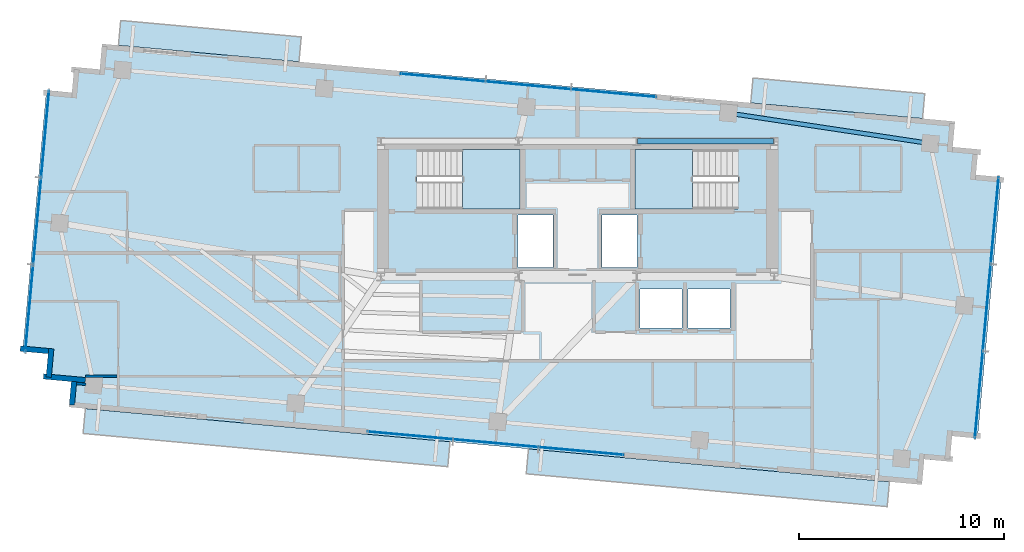
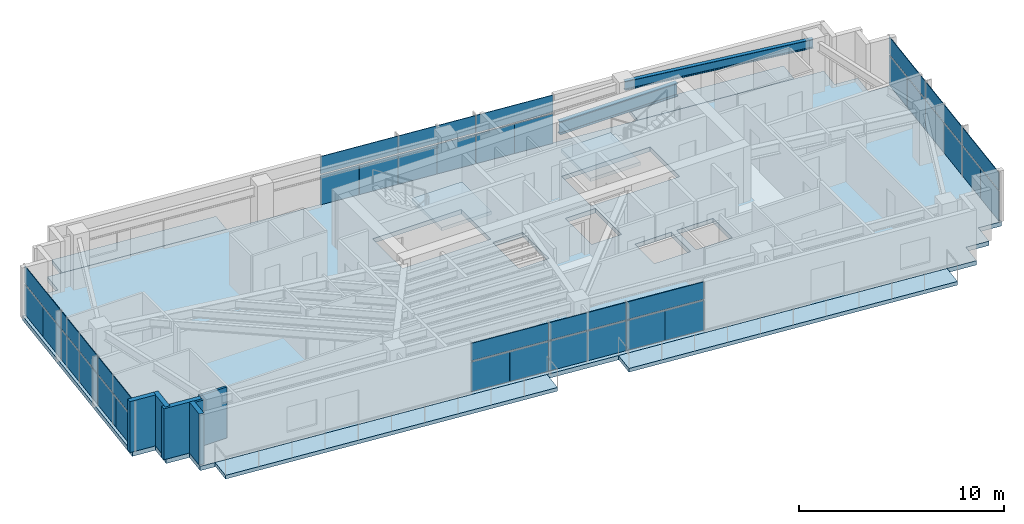
# One storey, part 15 of 22: 36 plates, 7 slabs, 6 walls, 2 beams, 6 elements without a shape of their own.
"""IFC4 building model written with IfcOpenShell, lengths in metres."""

from ifc_helpers import new_model, si_unit, direction, frame, frame_2d, origin, origin_2d, place, context, subcontext, project, spatial, polyline, rectangle, i_section, outline, extrude, source, transform, mapped, material, layer, layer_set, material_profile, profile_set, type_object, type_shapes, element, aggregate, save


model = new_model("IFC4")

# Units and contexts
model_context = context("Model", 3, precision=1e-05, world=origin(), true_north=direction((0.0, 1.0)))
body_context = subcontext(model_context, "Body", "Model", "MODEL_VIEW")
ifc_project = project(units=[si_unit("LENGTHUNIT", "METRE"), si_unit("AREAUNIT", "SQUARE_METRE"), si_unit("VOLUMEUNIT", "CUBIC_METRE"), si_unit("PLANEANGLEUNIT", "RADIAN"), si_unit("MASSUNIT", "GRAM", prefix="KILO")], contexts=[model_context])

# Site, building, storey
site_placement = place(None, origin())
site = spatial("IfcSite", under=ifc_project, at=site_placement, CompositionType="ELEMENT")
building_placement = place(site_placement, origin())
building = spatial("IfcBuilding", under=site, at=building_placement, Name="Astriad Promenade Condominiums", CompositionType="ELEMENT")
storey_placement = place(building_placement, frame((0.0, 0.0, 246.300048828125)))
storey = spatial("IfcBuildingStorey", under=building, at=storey_placement, Name="L71", CompositionType="ELEMENT", Elevation=246.300048828125)

# Beams
ifc_material_1 = material(Name="Steel ASTM A992 Grade 50", Category="steel")
ifc_material_profile_1 = material_profile(ifc_material_1, i_section(OverallWidth=0.267822265625, OverallDepth=0.76953125, WebThickness=0.015625, FlangeThickness=0.025390625, FilletRadius=0.021484375, at=origin_2d()), Name="W30X132")
ifc_profile_set_1 = profile_set([ifc_material_profile_1], Name="Steel ASTM A992 Grade 50")
beam_type_1 = type_object("IfcBeamType", Name="STEEL FLOOR GIRDER W30X132", PredefinedType="BEAM", material=ifc_profile_set_1)
shared_shape_1 = source(origin(), body_context, "Body", "SweptSolid", [
    extrude(i_section(OverallWidth=0.267822265625, OverallDepth=0.76953125, WebThickness=0.015625, FlangeThickness=0.025390625, FilletRadius=0.021484375, at=origin_2d()), origin(), (0.0, 0.0, 1.0), 6.64013671875),
])
type_shapes(beam_type_1, [shared_shape_1])
beam_1_placement = place(storey_placement, frame((38.919921875, 24.0, 2.655029296875), z_axis=(1.0, 0.0, 0.0), x_axis=(0.0, 1.0, 0.0)))
element("IfcBeam", 1, at=beam_1_placement, inside=storey, type_object=beam_type_1, Name="Core Ring Beam CG-N3-L71", PredefinedType="BEAM", context=body_context, shape_type="MappedRepresentation", body=[
    mapped(shared_shape_1, transform((0.0, 0.0, 0.0), scale=1.0)),
])
ifc_material_profile_2 = material_profile(ifc_material_1, i_section(OverallWidth=0.210693359375, OverallDepth=0.53955078125, WebThickness=0.01171875, FlangeThickness=0.018798828125, FilletRadius=0.0166015625, at=origin_2d()), Name="W21X73")
ifc_profile_set_2 = profile_set([ifc_material_profile_2], Name="Steel ASTM A992 Grade 50")
beam_type_2 = type_object("IfcBeamType", Name="STEEL SPANDREL BEAM W21X73", PredefinedType="SPANDREL", material=ifc_profile_set_2)
shared_shape_2 = source(origin(), body_context, "Body", "SweptSolid", [
    extrude(i_section(OverallWidth=0.210693359375, OverallDepth=0.53955078125, WebThickness=0.01171875, FlangeThickness=0.018798828125, FilletRadius=0.0166015625, at=origin_2d()), origin(), (0.0, 0.0, 1.0), 9.890869140625),
])
type_shapes(beam_type_2, [shared_shape_2])
beam_2_placement = place(storey_placement, frame((53.1787109375, 23.899658203125, 2.770263671875), z_axis=(-0.988827455442, 0.149064628143, 0.0), x_axis=(-0.149064628143, -0.988827455442, 0.0)))
element("IfcBeam", 2, at=beam_2_placement, inside=storey, type_object=beam_type_2, Name="Perimeter Spandrel Beam SP-N4-L71", PredefinedType="SPANDREL", context=body_context, shape_type="MappedRepresentation", body=[
    mapped(shared_shape_2, transform((0.0, 0.0, 0.0), scale=1.0)),
])

# Slab
ifc_material_2 = material(Name="Concrete C50/60", Category="concrete")
ifc_layer_1 = layer(ifc_material_2, 0.260009765625)
ifc_layer_set_1 = layer_set([ifc_layer_1], Name="Concrete C50/60")
slab_type_1 = type_object("IfcSlabType", Name="CONCRETE TOWER FLOOR SLAB 260", PredefinedType="FLOOR", material=ifc_layer_set_1)
slab_1_placement = place(storey_placement, frame((0.0, 0.0, -0.260009765625)))
element("IfcSlab", 3, at=slab_1_placement, inside=storey, type_object=slab_type_1, Name="Structural Floor Slab (L71)", PredefinedType="FLOOR", context=body_context, shape_type="SweptSolid", body=[
    extrude(outline(polyline([(11.179443359375, 11.03076171875), (52.807373046875, 7.242431640625), (52.920654296875, 8.4873046875), (54.16552734375, 8.3740234375), (54.27880859375, 9.618896484375), (55.523681640625, 9.505615234375), (56.68359375, 22.2529296875), (55.43896484375, 22.3662109375), (55.55224609375, 23.611083984375), (54.307373046875, 23.724365234375), (54.420654296875, 24.96923828125), (12.79248046875, 28.757568359375), (12.679443359375, 27.5126953125), (11.4345703125, 27.6259765625), (11.3212890625, 26.381103515625), (10.076416015625, 26.494384765625), (8.916259765625, 13.7470703125), (10.1611328125, 13.6337890625), (10.0478515625, 12.388916015625), (11.292724609375, 12.275634765625), (11.179443359375, 11.03076171875)]), holes=[polyline([(28.175048828125, 20.699951171875), (33.175048828125, 20.699951171875), (33.175048828125, 23.60009765625), (28.175048828125, 23.60009765625), (28.175048828125, 20.699951171875)]), polyline([(38.824951171875, 20.699951171875), (43.824951171875, 20.699951171875), (43.824951171875, 23.60009765625), (38.824951171875, 23.60009765625), (38.824951171875, 20.699951171875)]), polyline([(33.10009765625, 17.85009765625), (34.800048828125, 17.85009765625), (34.800048828125, 20.39990234375), (33.10009765625, 20.39990234375), (33.10009765625, 17.85009765625)]), polyline([(37.199951171875, 17.85009765625), (38.89990234375, 17.85009765625), (38.89990234375, 20.39990234375), (37.199951171875, 20.39990234375), (37.199951171875, 17.85009765625)]), polyline([(39.050048828125, 14.89990234375), (41.10009765625, 14.89990234375), (41.10009765625, 16.800048828125), (39.050048828125, 16.800048828125), (39.050048828125, 14.89990234375)]), polyline([(41.39990234375, 14.89990234375), (43.449951171875, 14.89990234375), (43.449951171875, 16.800048828125), (41.39990234375, 16.800048828125), (41.39990234375, 14.89990234375)])]), origin(), (0.0, 0.0, 1.0), 0.260009765625),
])

# Stair, slab
stair_type = type_object("IfcStairType", Name="STR-CORE-1350", PredefinedType="HALF_TURN_STAIR", material=ifc_material_2)
stair_1_placement = place(storey_placement, origin())
stair_1 = element("IfcStair", 4, at=stair_1_placement, inside=storey, type_object=stair_type, Name="L71 Enclosed Core Exit Stair ST-1", PredefinedType="HALF_TURN_STAIR")
ifc_layer_2 = layer(ifc_material_2, 0.219970703125)
ifc_layer_set_2 = layer_set([ifc_layer_2], Name="Concrete C50/60")
slab_type_2 = type_object("IfcSlabType", Name="SLB-LANDING-220", PredefinedType="LANDING", material=ifc_layer_set_2)
slab_2_placement = place(storey_placement, frame((0.0, 0.0, 1.449951171875)))
slab_2 = element("IfcSlab", 5, at=slab_2_placement, type_object=slab_type_2, Name="ST-1 landing 1", PredefinedType="LANDING", context=body_context, shape_type="SweptSolid", body=[
    extrude(outline(polyline([(30.389892578125, 20.699951171875), (33.199951171875, 20.699951171875), (33.199951171875, 23.60009765625), (30.389892578125, 23.60009765625), (30.389892578125, 20.699951171875)])), origin(), (0.0, 0.0, 1.0), 0.199951171875),
])
aggregate(stair_1, [slab_2])

stair_2_placement = place(storey_placement, origin())
stair_2 = element("IfcStair", 6, at=stair_2_placement, inside=storey, type_object=stair_type, Name="L71 Enclosed Core Exit Stair ST-2", PredefinedType="HALF_TURN_STAIR")
slab_3_placement = place(storey_placement, frame((0.0, 0.0, 1.449951171875)))
slab_3 = element("IfcSlab", 7, at=slab_3_placement, type_object=slab_type_2, Name="ST-2 landing 1", PredefinedType="LANDING", context=body_context, shape_type="SweptSolid", body=[
    extrude(outline(polyline([(41.610107421875, 23.60009765625), (38.800048828125, 23.60009765625), (38.800048828125, 20.699951171875), (41.610107421875, 20.699951171875), (41.610107421875, 23.60009765625)])), origin(), (0.0, 0.0, 1.0), 0.199951171875),
])
aggregate(stair_2, [slab_3])

# Slabs
ifc_material_3 = material(Name="Precast concrete C50/60", Category="concrete")
ifc_layer_3 = layer(ifc_material_3, 0.219970703125)
ifc_layer_set_3 = layer_set([ifc_layer_3], Name="Precast concrete C50/60")
slab_type_3 = type_object("IfcSlabType", Name="WHITE PRECAST CONCRETE WAVE BALCONY SLAB 220", PredefinedType="FLOOR", material=ifc_layer_set_3)
slab_4_placement = place(storey_placement, frame((0.0, 0.0, -0.219970703125)))
element("IfcSlab", 8, at=slab_4_placement, inside=storey, type_object=slab_type_3, Name="White Precast Wave Balcony Slab BAL-L71-SW", PredefinedType="FLOOR", context=body_context, shape_type="SweptSolid", body=[
    extrude(outline(polyline([(29.6650390625, 8.12353515625), (11.866455078125, 9.743408203125), (11.976806640625, 10.956298828125), (29.775390625, 9.33642578125), (29.6650390625, 8.12353515625)])), origin(), (0.0, 0.0, 1.0), 0.219970703125),
])
slab_5_placement = place(storey_placement, frame((0.0, 0.0, -0.219970703125)))
element("IfcSlab", 9, at=slab_5_placement, inside=storey, type_object=slab_type_3, Name="White Precast Wave Balcony Slab BAL-L71-SE", PredefinedType="FLOOR", context=body_context, shape_type="SweptSolid", body=[
    extrude(outline(polyline([(51.1103515625, 6.171875), (33.494140625, 7.77490234375), (33.6044921875, 8.988037109375), (51.220703125, 7.384765625), (51.1103515625, 6.171875)])), origin(), (0.0, 0.0, 1.0), 0.219970703125),
])
slab_6_placement = place(storey_placement, frame((0.0, 0.0, -0.219970703125)))
element("IfcSlab", 10, at=slab_6_placement, inside=storey, type_object=slab_type_3, Name="White Precast Wave Balcony Slab BAL-L71-NW", PredefinedType="FLOOR", context=body_context, shape_type="SweptSolid", body=[
    extrude(outline(polyline([(13.700927734375, 29.89990234375), (22.513427734375, 29.097900390625), (22.403076171875, 27.885009765625), (13.590576171875, 28.68701171875), (13.700927734375, 29.89990234375)])), origin(), (0.0, 0.0, 1.0), 0.219970703125),
])
slab_7_placement = place(storey_placement, frame((0.0, 0.0, -0.219970703125)))
element("IfcSlab", 11, at=slab_7_placement, inside=storey, type_object=slab_type_3, Name="White Precast Wave Balcony Slab BAL-L71-NE", PredefinedType="FLOOR", context=body_context, shape_type="SweptSolid", body=[
    extrude(outline(polyline([(44.5625, 27.09130859375), (52.944580078125, 26.32861328125), (52.83447265625, 25.115478515625), (44.451904296875, 25.87841796875), (44.5625, 27.09130859375)])), origin(), (0.0, 0.0, 1.0), 0.219970703125),
])

# Curtain wall, plates
ifc_material_4 = material(Name="Anodised aluminium Black Dark Glass Unitised", Category="aluminium")
curtain_wall_type = type_object("IfcCurtainWallType", Name="CW-B5-DARK", PredefinedType="USERDEFINED", material=ifc_material_4)
curtain_wall_1_placement = place(storey_placement, origin())
curtain_wall_1 = element("IfcCurtainWall", 12, at=curtain_wall_1_placement, inside=storey, type_object=curtain_wall_type, Name="CW-L71-W", ObjectType="UNITISED_CURTAIN_WALL", PredefinedType="USERDEFINED")
ifc_material_5 = material(Name="Dark Tinted Low-E Laminated Glass", Category="glass")
ifc_layer_4 = layer(ifc_material_5, 0.035888671875)
ifc_layer_set_4 = layer_set([ifc_layer_4], Name="Dark Tinted Low-E Laminated Glass")
plate_type = type_object("IfcPlateType", Name="PNL-DARK-GLASS-36", PredefinedType="CURTAIN_PANEL", material=ifc_layer_set_4)
shared_shape_3 = source(origin(), body_context, "Body", "SweptSolid", [
    extrude(rectangle(XDim=2.121337890625, YDim=0.035888671875, at=origin_2d()), origin(), (0.0, 0.0, 1.0), 1.764892578125),
])
plate_1_placement = place(storey_placement, frame((9.142578125, 14.797607421875, 0.080078125), z_axis=(0.0, 0.0, 1.0), x_axis=(0.090632580198, 0.995884398616, 0.0)))
plate_1 = element("IfcPlate", 13, at=plate_1_placement, type_object=plate_type, Name="CW-L71-W-PNL-00-VL", PredefinedType="CURTAIN_PANEL", context=body_context, shape_type="MappedRepresentation", body=[
    mapped(shared_shape_3, transform((0.0, 0.0, 0.0), scale=1.0)),
])
plate_2_placement = place(storey_placement, frame((9.335693359375, 16.922119140625, 0.080078125), z_axis=(0.0, 0.0, 1.0), x_axis=(0.090632580198, 0.995884398616, 0.0)))
plate_2 = element("IfcPlate", 14, at=plate_2_placement, type_object=plate_type, Name="CW-L71-W-PNL-00-VR", PredefinedType="CURTAIN_PANEL", context=body_context, shape_type="MappedRepresentation", body=[
    mapped(shared_shape_3, transform((0.0, 0.0, 0.0), scale=1.0)),
])
plate_3_placement = place(storey_placement, frame((9.529296875, 19.046630859375, 0.080078125), z_axis=(0.0, 0.0, 1.0), x_axis=(0.090632580198, 0.995884398616, 0.0)))
plate_3 = element("IfcPlate", 15, at=plate_3_placement, type_object=plate_type, Name="CW-L71-W-PNL-01-VL", PredefinedType="CURTAIN_PANEL", context=body_context, shape_type="MappedRepresentation", body=[
    mapped(shared_shape_3, transform((0.0, 0.0, 0.0), scale=1.0)),
])
plate_4_placement = place(storey_placement, frame((9.722412109375, 21.17138671875, 0.080078125), z_axis=(0.0, 0.0, 1.0), x_axis=(0.090632580198, 0.995884398616, 0.0)))
plate_4 = element("IfcPlate", 16, at=plate_4_placement, type_object=plate_type, Name="CW-L71-W-PNL-01-VR", PredefinedType="CURTAIN_PANEL", context=body_context, shape_type="MappedRepresentation", body=[
    mapped(shared_shape_3, transform((0.0, 0.0, 0.0), scale=1.0)),
])
plate_5_placement = place(storey_placement, frame((9.916015625, 23.2958984375, 0.080078125), z_axis=(0.0, 0.0, 1.0), x_axis=(0.090632580198, 0.995884398616, 0.0)))
plate_5 = element("IfcPlate", 17, at=plate_5_placement, type_object=plate_type, Name="CW-L71-W-PNL-02-VL", PredefinedType="CURTAIN_PANEL", context=body_context, shape_type="MappedRepresentation", body=[
    mapped(shared_shape_3, transform((0.0, 0.0, 0.0), scale=1.0)),
])
plate_6_placement = place(storey_placement, frame((10.109130859375, 25.42041015625, 0.080078125), z_axis=(0.0, 0.0, 1.0), x_axis=(0.090632580198, 0.995884398616, 0.0)))
plate_6 = element("IfcPlate", 18, at=plate_6_placement, type_object=plate_type, Name="CW-L71-W-PNL-02-VR", PredefinedType="CURTAIN_PANEL", context=body_context, shape_type="MappedRepresentation", body=[
    mapped(shared_shape_3, transform((0.0, 0.0, 0.0), scale=1.0)),
])

curtain_wall_2_placement = place(storey_placement, origin())
curtain_wall_2 = element("IfcCurtainWall", 19, at=curtain_wall_2_placement, inside=storey, type_object=curtain_wall_type, Name="CW-L71-E", ObjectType="UNITISED_CURTAIN_WALL", PredefinedType="USERDEFINED")
plate_7_placement = place(storey_placement, frame((56.45751953125, 21.202392578125, 0.080078125), z_axis=(0.0, 0.0, 1.0), x_axis=(-0.090632580198, -0.995884398616, 0.0)))
plate_7 = element("IfcPlate", 20, at=plate_7_placement, type_object=plate_type, Name="CW-L71-E-PNL-00-VL", PredefinedType="CURTAIN_PANEL", context=body_context, shape_type="MappedRepresentation", body=[
    mapped(shared_shape_3, transform((0.0, 0.0, 0.0), scale=1.0)),
])
plate_8_placement = place(storey_placement, frame((56.26416015625, 19.077880859375, 0.080078125), z_axis=(0.0, 0.0, 1.0), x_axis=(-0.090632580198, -0.995884398616, 0.0)))
plate_8 = element("IfcPlate", 21, at=plate_8_placement, type_object=plate_type, Name="CW-L71-E-PNL-00-VR", PredefinedType="CURTAIN_PANEL", context=body_context, shape_type="MappedRepresentation", body=[
    mapped(shared_shape_3, transform((0.0, 0.0, 0.0), scale=1.0)),
])
plate_9_placement = place(storey_placement, frame((56.07080078125, 16.953369140625, 0.080078125), z_axis=(0.0, 0.0, 1.0), x_axis=(-0.090632580198, -0.995884398616, 0.0)))
plate_9 = element("IfcPlate", 22, at=plate_9_placement, type_object=plate_type, Name="CW-L71-E-PNL-01-VL", PredefinedType="CURTAIN_PANEL", context=body_context, shape_type="MappedRepresentation", body=[
    mapped(shared_shape_3, transform((0.0, 0.0, 0.0), scale=1.0)),
])
plate_10_placement = place(storey_placement, frame((55.87744140625, 14.82861328125, 0.080078125), z_axis=(0.0, 0.0, 1.0), x_axis=(-0.090632580198, -0.995884398616, 0.0)))
plate_10 = element("IfcPlate", 23, at=plate_10_placement, type_object=plate_type, Name="CW-L71-E-PNL-01-VR", PredefinedType="CURTAIN_PANEL", context=body_context, shape_type="MappedRepresentation", body=[
    mapped(shared_shape_3, transform((0.0, 0.0, 0.0), scale=1.0)),
])
plate_11_placement = place(storey_placement, frame((55.68408203125, 12.7041015625, 0.080078125), z_axis=(0.0, 0.0, 1.0), x_axis=(-0.090632580198, -0.995884398616, 0.0)))
plate_11 = element("IfcPlate", 24, at=plate_11_placement, type_object=plate_type, Name="CW-L71-E-PNL-02-VL", PredefinedType="CURTAIN_PANEL", context=body_context, shape_type="MappedRepresentation", body=[
    mapped(shared_shape_3, transform((0.0, 0.0, 0.0), scale=1.0)),
])
plate_12_placement = place(storey_placement, frame((55.49072265625, 10.57958984375, 0.080078125), z_axis=(0.0, 0.0, 1.0), x_axis=(-0.090632580198, -0.995884398616, 0.0)))
plate_12 = element("IfcPlate", 25, at=plate_12_placement, type_object=plate_type, Name="CW-L71-E-PNL-02-VR", PredefinedType="CURTAIN_PANEL", context=body_context, shape_type="MappedRepresentation", body=[
    mapped(shared_shape_3, transform((0.0, 0.0, 0.0), scale=1.0)),
])

# Plate
shared_shape_4 = source(origin(), body_context, "Body", "SweptSolid", [
    extrude(rectangle(XDim=4.254638671875, YDim=0.035888671875, at=origin_2d()), origin(), (0.0, 0.0, 1.0), 1.03515625),
])
plate_13_placement = place(storey_placement, frame((9.239013671875, 15.85986328125, 1.9248046875), z_axis=(0.0, 0.0, 1.0), x_axis=(0.090632580198, 0.995884398616, 0.0)))
plate_13 = element("IfcPlate", 26, at=plate_13_placement, type_object=plate_type, Name="CW-L71-W-PNL-00-S", PredefinedType="CURTAIN_PANEL", context=body_context, shape_type="MappedRepresentation", body=[
    mapped(shared_shape_4, transform((0.0, 0.0, 0.0), scale=1.0)),
])

plate_14_placement = place(storey_placement, frame((9.625732421875, 20.10888671875, 1.9248046875), z_axis=(0.0, 0.0, 1.0), x_axis=(0.090632580198, 0.995884398616, 0.0)))
plate_14 = element("IfcPlate", 27, at=plate_14_placement, type_object=plate_type, Name="CW-L71-W-PNL-01-S", PredefinedType="CURTAIN_PANEL", context=body_context, shape_type="MappedRepresentation", body=[
    mapped(shared_shape_4, transform((0.0, 0.0, 0.0), scale=1.0)),
])

plate_15_placement = place(storey_placement, frame((10.0126953125, 24.358154296875, 1.9248046875), z_axis=(0.0, 0.0, 1.0), x_axis=(0.090632580198, 0.995884398616, 0.0)))
plate_15 = element("IfcPlate", 28, at=plate_15_placement, type_object=plate_type, Name="CW-L71-W-PNL-02-S", PredefinedType="CURTAIN_PANEL", context=body_context, shape_type="MappedRepresentation", body=[
    mapped(shared_shape_4, transform((0.0, 0.0, 0.0), scale=1.0)),
])

aggregate(curtain_wall_1, [plate_1, plate_2, plate_13, plate_3, plate_4, plate_14, plate_5, plate_6, plate_15])

plate_16_placement = place(storey_placement, frame((56.36083984375, 20.14013671875, 1.9248046875), z_axis=(0.0, 0.0, 1.0), x_axis=(-0.090632580198, -0.995884398616, 0.0)))
plate_16 = element("IfcPlate", 29, at=plate_16_placement, type_object=plate_type, Name="CW-L71-E-PNL-00-S", PredefinedType="CURTAIN_PANEL", context=body_context, shape_type="MappedRepresentation", body=[
    mapped(shared_shape_4, transform((0.0, 0.0, 0.0), scale=1.0)),
])

plate_17_placement = place(storey_placement, frame((55.97412109375, 15.89111328125, 1.9248046875), z_axis=(0.0, 0.0, 1.0), x_axis=(-0.090632580198, -0.995884398616, 0.0)))
plate_17 = element("IfcPlate", 30, at=plate_17_placement, type_object=plate_type, Name="CW-L71-E-PNL-01-S", PredefinedType="CURTAIN_PANEL", context=body_context, shape_type="MappedRepresentation", body=[
    mapped(shared_shape_4, transform((0.0, 0.0, 0.0), scale=1.0)),
])

plate_18_placement = place(storey_placement, frame((55.58740234375, 11.641845703125, 1.9248046875), z_axis=(0.0, 0.0, 1.0), x_axis=(-0.090632580198, -0.995884398616, 0.0)))
plate_18 = element("IfcPlate", 31, at=plate_18_placement, type_object=plate_type, Name="CW-L71-E-PNL-02-S", PredefinedType="CURTAIN_PANEL", context=body_context, shape_type="MappedRepresentation", body=[
    mapped(shared_shape_4, transform((0.0, 0.0, 0.0), scale=1.0)),
])

aggregate(curtain_wall_2, [plate_7, plate_8, plate_16, plate_9, plate_10, plate_17, plate_11, plate_12, plate_18])

# Curtain wall, plates
curtain_wall_3_placement = place(storey_placement, origin())
curtain_wall_3 = element("IfcCurtainWall", 32, at=curtain_wall_3_placement, inside=storey, type_object=curtain_wall_type, Name="CW-L71-N", ObjectType="UNITISED_CURTAIN_WALL", PredefinedType="USERDEFINED")
shared_shape_5 = source(origin(), body_context, "Body", "SweptSolid", [
    extrude(rectangle(XDim=2.077880859375, YDim=0.035888671875, at=origin_2d()), origin(), (0.0, 0.0, 1.0), 1.764892578125),
])
plate_19_placement = place(storey_placement, frame((28.391357421875, 27.20751953125, 0.080078125), z_axis=(0.0, 0.0, 1.0), x_axis=(0.995884398616, -0.090632580198, 0.0)))
plate_19 = element("IfcPlate", 33, at=plate_19_placement, type_object=plate_type, Name="CW-L71-N-PNL-00-VL", PredefinedType="CURTAIN_PANEL", context=body_context, shape_type="MappedRepresentation", body=[
    mapped(shared_shape_5, transform((0.0, 0.0, 0.0), scale=1.0)),
])
plate_20_placement = place(storey_placement, frame((30.47265625, 27.01806640625, 0.080078125), z_axis=(0.0, 0.0, 1.0), x_axis=(0.995884398616, -0.090632580198, 0.0)))
plate_20 = element("IfcPlate", 34, at=plate_20_placement, type_object=plate_type, Name="CW-L71-N-PNL-00-VR", PredefinedType="CURTAIN_PANEL", context=body_context, shape_type="MappedRepresentation", body=[
    mapped(shared_shape_5, transform((0.0, 0.0, 0.0), scale=1.0)),
])
plate_21_placement = place(storey_placement, frame((32.55419921875, 26.82861328125, 0.080078125), z_axis=(0.0, 0.0, 1.0), x_axis=(0.995884398616, -0.090632580198, 0.0)))
plate_21 = element("IfcPlate", 35, at=plate_21_placement, type_object=plate_type, Name="CW-L71-N-PNL-01-VL", PredefinedType="CURTAIN_PANEL", context=body_context, shape_type="MappedRepresentation", body=[
    mapped(shared_shape_5, transform((0.0, 0.0, 0.0), scale=1.0)),
])
plate_22_placement = place(storey_placement, frame((34.635498046875, 26.63916015625, 0.080078125), z_axis=(0.0, 0.0, 1.0), x_axis=(0.995884398616, -0.090632580198, 0.0)))
plate_22 = element("IfcPlate", 36, at=plate_22_placement, type_object=plate_type, Name="CW-L71-N-PNL-01-VR", PredefinedType="CURTAIN_PANEL", context=body_context, shape_type="MappedRepresentation", body=[
    mapped(shared_shape_5, transform((0.0, 0.0, 0.0), scale=1.0)),
])
plate_23_placement = place(storey_placement, frame((36.716796875, 26.44970703125, 0.080078125), z_axis=(0.0, 0.0, 1.0), x_axis=(0.995884398616, -0.090632580198, 0.0)))
plate_23 = element("IfcPlate", 37, at=plate_23_placement, type_object=plate_type, Name="CW-L71-N-PNL-02-VL", PredefinedType="CURTAIN_PANEL", context=body_context, shape_type="MappedRepresentation", body=[
    mapped(shared_shape_5, transform((0.0, 0.0, 0.0), scale=1.0)),
])
plate_24_placement = place(storey_placement, frame((38.79833984375, 26.26025390625, 0.080078125), z_axis=(0.0, 0.0, 1.0), x_axis=(0.995884398616, -0.090632580198, 0.0)))
plate_24 = element("IfcPlate", 38, at=plate_24_placement, type_object=plate_type, Name="CW-L71-N-PNL-02-VR", PredefinedType="CURTAIN_PANEL", context=body_context, shape_type="MappedRepresentation", body=[
    mapped(shared_shape_5, transform((0.0, 0.0, 0.0), scale=1.0)),
])

curtain_wall_4_placement = place(storey_placement, origin())
curtain_wall_4 = element("IfcCurtainWall", 39, at=curtain_wall_4_placement, inside=storey, type_object=curtain_wall_type, Name="CW-L71-S", ObjectType="UNITISED_CURTAIN_WALL", PredefinedType="USERDEFINED")
plate_25_placement = place(storey_placement, frame((37.208740234375, 8.79248046875, 0.080078125), z_axis=(0.0, 0.0, 1.0), x_axis=(-0.995884398616, 0.090632580198, 0.0)))
plate_25 = element("IfcPlate", 40, at=plate_25_placement, type_object=plate_type, Name="CW-L71-S-PNL-00-VL", PredefinedType="CURTAIN_PANEL", context=body_context, shape_type="MappedRepresentation", body=[
    mapped(shared_shape_5, transform((0.0, 0.0, 0.0), scale=1.0)),
])
plate_26_placement = place(storey_placement, frame((35.127197265625, 8.98193359375, 0.080078125), z_axis=(0.0, 0.0, 1.0), x_axis=(-0.995884398616, 0.090632580198, 0.0)))
plate_26 = element("IfcPlate", 41, at=plate_26_placement, type_object=plate_type, Name="CW-L71-S-PNL-00-VR", PredefinedType="CURTAIN_PANEL", context=body_context, shape_type="MappedRepresentation", body=[
    mapped(shared_shape_5, transform((0.0, 0.0, 0.0), scale=1.0)),
])
plate_27_placement = place(storey_placement, frame((33.0458984375, 9.17138671875, 0.080078125), z_axis=(0.0, 0.0, 1.0), x_axis=(-0.995884398616, 0.090632580198, 0.0)))
plate_27 = element("IfcPlate", 42, at=plate_27_placement, type_object=plate_type, Name="CW-L71-S-PNL-01-VL", PredefinedType="CURTAIN_PANEL", context=body_context, shape_type="MappedRepresentation", body=[
    mapped(shared_shape_5, transform((0.0, 0.0, 0.0), scale=1.0)),
])
plate_28_placement = place(storey_placement, frame((30.964599609375, 9.36083984375, 0.080078125), z_axis=(0.0, 0.0, 1.0), x_axis=(-0.995884398616, 0.090632580198, 0.0)))
plate_28 = element("IfcPlate", 43, at=plate_28_placement, type_object=plate_type, Name="CW-L71-S-PNL-01-VR", PredefinedType="CURTAIN_PANEL", context=body_context, shape_type="MappedRepresentation", body=[
    mapped(shared_shape_5, transform((0.0, 0.0, 0.0), scale=1.0)),
])
plate_29_placement = place(storey_placement, frame((28.883056640625, 9.55029296875, 0.080078125), z_axis=(0.0, 0.0, 1.0), x_axis=(-0.995884398616, 0.090632580198, 0.0)))
plate_29 = element("IfcPlate", 44, at=plate_29_placement, type_object=plate_type, Name="CW-L71-S-PNL-02-VL", PredefinedType="CURTAIN_PANEL", context=body_context, shape_type="MappedRepresentation", body=[
    mapped(shared_shape_5, transform((0.0, 0.0, 0.0), scale=1.0)),
])
plate_30_placement = place(storey_placement, frame((26.8017578125, 9.73974609375, 0.080078125), z_axis=(0.0, 0.0, 1.0), x_axis=(-0.995884398616, 0.090632580198, 0.0)))
plate_30 = element("IfcPlate", 45, at=plate_30_placement, type_object=plate_type, Name="CW-L71-S-PNL-02-VR", PredefinedType="CURTAIN_PANEL", context=body_context, shape_type="MappedRepresentation", body=[
    mapped(shared_shape_5, transform((0.0, 0.0, 0.0), scale=1.0)),
])

# Plate
shared_shape_6 = source(origin(), body_context, "Body", "SweptSolid", [
    extrude(rectangle(XDim=4.16796875, YDim=0.035888671875, at=origin_2d()), origin(), (0.0, 0.0, 1.0), 1.03515625),
])
type_shapes(plate_type, [shared_shape_3, shared_shape_4, shared_shape_5, shared_shape_6])
plate_31_placement = place(storey_placement, frame((29.431884765625, 27.11279296875, 1.9248046875), z_axis=(0.0, 0.0, 1.0), x_axis=(0.995884398616, -0.090632580198, 0.0)))
plate_31 = element("IfcPlate", 46, at=plate_31_placement, type_object=plate_type, Name="CW-L71-N-PNL-00-S", PredefinedType="CURTAIN_PANEL", context=body_context, shape_type="MappedRepresentation", body=[
    mapped(shared_shape_6, transform((0.0, 0.0, 0.0), scale=1.0)),
])

plate_32_placement = place(storey_placement, frame((33.5947265625, 26.73388671875, 1.9248046875), z_axis=(0.0, 0.0, 1.0), x_axis=(0.995884398616, -0.090632580198, 0.0)))
plate_32 = element("IfcPlate", 47, at=plate_32_placement, type_object=plate_type, Name="CW-L71-N-PNL-01-S", PredefinedType="CURTAIN_PANEL", context=body_context, shape_type="MappedRepresentation", body=[
    mapped(shared_shape_6, transform((0.0, 0.0, 0.0), scale=1.0)),
])

plate_33_placement = place(storey_placement, frame((37.757568359375, 26.35498046875, 1.9248046875), z_axis=(0.0, 0.0, 1.0), x_axis=(0.995884398616, -0.090632580198, 0.0)))
plate_33 = element("IfcPlate", 48, at=plate_33_placement, type_object=plate_type, Name="CW-L71-N-PNL-02-S", PredefinedType="CURTAIN_PANEL", context=body_context, shape_type="MappedRepresentation", body=[
    mapped(shared_shape_6, transform((0.0, 0.0, 0.0), scale=1.0)),
])

aggregate(curtain_wall_3, [plate_19, plate_20, plate_31, plate_21, plate_22, plate_32, plate_23, plate_24, plate_33])

plate_34_placement = place(storey_placement, frame((36.16796875, 8.88720703125, 1.9248046875), z_axis=(0.0, 0.0, 1.0), x_axis=(-0.995884398616, 0.090632580198, 0.0)))
plate_34 = element("IfcPlate", 49, at=plate_34_placement, type_object=plate_type, Name="CW-L71-S-PNL-00-S", PredefinedType="CURTAIN_PANEL", context=body_context, shape_type="MappedRepresentation", body=[
    mapped(shared_shape_6, transform((0.0, 0.0, 0.0), scale=1.0)),
])

plate_35_placement = place(storey_placement, frame((32.005126953125, 9.26611328125, 1.9248046875), z_axis=(0.0, 0.0, 1.0), x_axis=(-0.995884398616, 0.090632580198, 0.0)))
plate_35 = element("IfcPlate", 50, at=plate_35_placement, type_object=plate_type, Name="CW-L71-S-PNL-01-S", PredefinedType="CURTAIN_PANEL", context=body_context, shape_type="MappedRepresentation", body=[
    mapped(shared_shape_6, transform((0.0, 0.0, 0.0), scale=1.0)),
])

plate_36_placement = place(storey_placement, frame((27.84228515625, 9.64501953125, 1.9248046875), z_axis=(0.0, 0.0, 1.0), x_axis=(-0.995884398616, 0.090632580198, 0.0)))
plate_36 = element("IfcPlate", 51, at=plate_36_placement, type_object=plate_type, Name="CW-L71-S-PNL-02-S", PredefinedType="CURTAIN_PANEL", context=body_context, shape_type="MappedRepresentation", body=[
    mapped(shared_shape_6, transform((0.0, 0.0, 0.0), scale=1.0)),
])

aggregate(curtain_wall_4, [plate_25, plate_26, plate_34, plate_27, plate_28, plate_35, plate_29, plate_30, plate_36])

# Walls
ifc_layer_5 = layer(ifc_material_3, 0.260009765625)
ifc_layer_set_5 = layer_set([ifc_layer_5], Name="Precast concrete C50/60")
wall_type_1 = type_object("IfcWallType", Name="WALL-EXT-TWR-260", PredefinedType="STANDARD", material=ifc_layer_set_5)
wall_1_placement = place(storey_placement, frame((11.974609375, 12.34423828125, 0.0), z_axis=(0.0, 0.0, 1.0), x_axis=(-0.995885404354, 0.090621528316, 0.0)))
element("IfcWall", 52, at=wall_1_placement, inside=storey, type_object=wall_type_1, Name="W-SER-L71-00", PredefinedType="STANDARD", context=body_context, shape_type="SweptSolid", body=[
    extrude(rectangle(XDim=2.052978515625, YDim=0.260009765625, at=frame_2d((1.0263671875, 0.0))), origin(), (0.0, 0.0, 1.0), 3.0400390625),
])
wall_2_placement = place(storey_placement, frame((10.187744140625, 12.49169921875, 0.0), z_axis=(0.0, 0.0, 1.0), x_axis=(0.090646191665, 0.995883159782, 0.0)))
element("IfcWall", 53, at=wall_2_placement, inside=storey, type_object=wall_type_1, Name="W-SER-L71-01", PredefinedType="STANDARD", context=body_context, shape_type="SweptSolid", body=[
    extrude(rectangle(XDim=1.395263671875, YDim=0.260009765625, at=frame_2d((0.69775390625, 0.0))), origin(), (0.0, 0.0, 1.0), 3.0400390625),
])
wall_3_placement = place(storey_placement, frame((10.187744140625, 13.761962890625, 0.0), z_axis=(0.0, 0.0, 1.0), x_axis=(-0.995881721538, 0.090661991521, 0.0)))
element("IfcWall", 54, at=wall_3_placement, inside=storey, type_object=wall_type_1, Name="W-SER-L71-02", PredefinedType="STANDARD", context=body_context, shape_type="SweptSolid", body=[
    extrude(rectangle(XDim=1.39501953125, YDim=0.260009765625, at=frame_2d((0.697509765625, 0.0))), origin(), (0.0, 0.0, 1.0), 3.0400390625),
])
wall_4_placement = place(storey_placement, frame((11.3193359375, 11.133544921875, 0.0), z_axis=(0.0, 0.0, 1.0), x_axis=(0.090650594353, 0.995882759035, 0.0)))
element("IfcWall", 55, at=wall_4_placement, inside=storey, type_object=wall_type_1, Name="W-SER-L71-19", PredefinedType="STANDARD", context=body_context, shape_type="SweptSolid", body=[
    extrude(rectangle(XDim=1.14990234375, YDim=0.260009765625, at=frame_2d((0.574951171875, 0.0))), origin(), (0.0, 0.0, 1.0), 3.0400390625),
])
ifc_material_6 = material(Name="Acoustic Metal-Stud Gypsum Partition")
ifc_layer_6 = layer(ifc_material_6, 0.1201171875)
ifc_layer_set_6 = layer_set([ifc_layer_6], Name="Acoustic Metal-Stud Gypsum Partition")
wall_type_2 = type_object("IfcWallType", Name="WALL-PART-120", PredefinedType="PARTITIONING", material=ifc_layer_set_6)
wall_5_placement = place(storey_placement, frame((11.9921875, 12.534912109375, 0.0), z_axis=(0.0, 0.0, 1.0), x_axis=(1.0, 0.0, 0.0)))
element("IfcWall", 56, at=wall_5_placement, inside=storey, type_object=wall_type_2, Name="PT-L71-W1-CAPH2", PredefinedType="PARTITIONING", context=body_context, shape_type="SweptSolid", body=[
    extrude(rectangle(XDim=1.52685546875, YDim=0.1201171875, at=frame_2d((0.763427734375, 0.0))), origin(), (0.0, 0.0, 1.0), 3.0400390625),
])
wall_6_placement = place(storey_placement, frame((12.00341796875, 12.140625, 0.0), z_axis=(0.0, 0.0, 1.0), x_axis=(-0.995884462012, 0.090631883588, 0.0)))
element("IfcWall", 57, at=wall_6_placement, inside=storey, type_object=wall_type_2, Name="PT-PIL-L71-PC01-8", PredefinedType="PARTITIONING", context=body_context, shape_type="SweptSolid", body=[
    extrude(rectangle(XDim=0.4580078125, YDim=0.1201171875, at=frame_2d((0.22900390625, 0.0))), origin(), (0.0, 0.0, 1.0), 3.0400390625),
])

save(model, "model.ifc")
